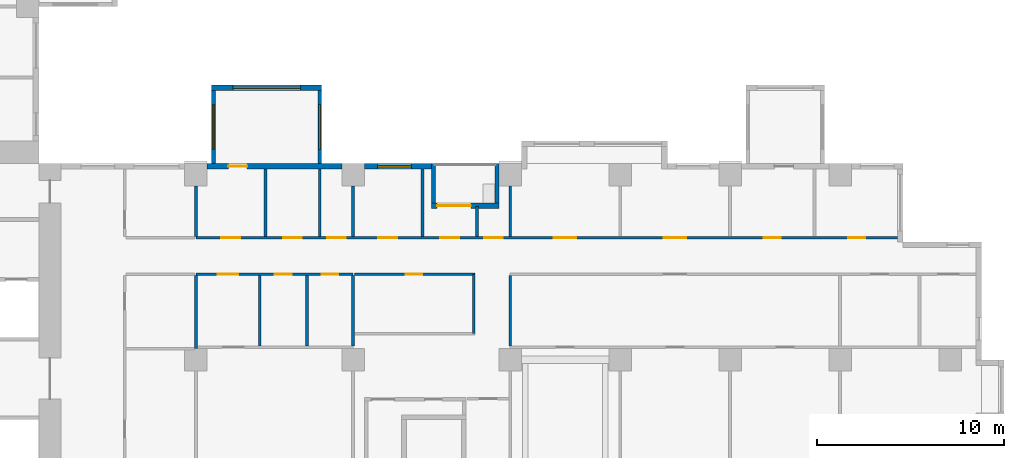
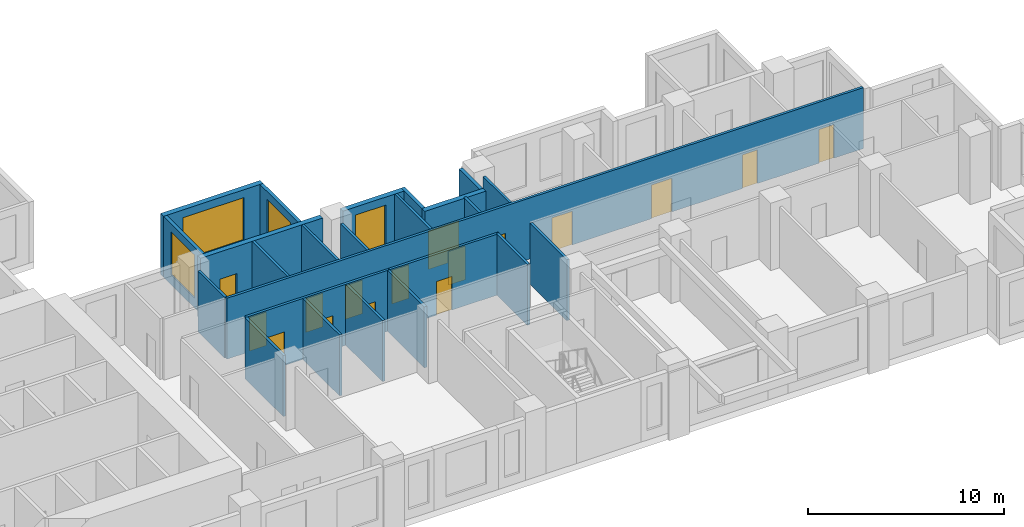
# One storey, part 5 of 14: 24 walls, 16 doors, 4 windows, 20 openings.
"""IFC4 building model written with IfcOpenShell, lengths in metres."""

from ifc_helpers import new_model, si_unit, direction, frame, frame_2d, origin, place, context, subcontext, project, spatial, rectangle, extrude, source, transform, mapped, material, layer, layer_set, type_object, element, fill, save


model = new_model("IFC4")

# Units and contexts
model_context = context("Model", 3, precision=1e-05, world=origin(), true_north=direction((0.0, 1.0)))
body_context = subcontext(model_context, "Body", "Model", "MODEL_VIEW")
ifc_project = project(units=[si_unit("LENGTHUNIT", "METRE"), si_unit("AREAUNIT", "SQUARE_METRE"), si_unit("VOLUMEUNIT", "CUBIC_METRE"), si_unit("PLANEANGLEUNIT", "RADIAN"), si_unit("MASSUNIT", "GRAM", prefix="KILO")], contexts=[model_context])

# Site, building, storey
site_placement = place(None, origin())
site = spatial("IfcSite", under=ifc_project, at=site_placement, CompositionType="ELEMENT")
building_placement = place(site_placement, origin())
building = spatial("IfcBuilding", under=site, at=building_placement, Name="Aurelian Terraces", CompositionType="ELEMENT")
storey_placement = place(building_placement, frame((0.0, 0.0, 90.9)))
storey = spatial("IfcBuildingStorey", under=building, at=storey_placement, Name="L19", CompositionType="ELEMENT", Elevation=90.9)

# Wall
ifc_material_1 = material(Name="Gypsum board on steel studs", Category="steel")
ifc_layer_1 = layer(ifc_material_1, 0.15)
ifc_layer_set_1 = layer_set([ifc_layer_1], Name="Partition 150")
wall_type_1 = type_object("IfcWallType", Name="Partition 150", PredefinedType="PARTITIONING", material=ifc_layer_set_1)
wall_1_placement = place(storey_placement, frame((44.424, 18.695, 0.0), z_axis=(0.0, 0.0, 1.0), x_axis=(0.0, -1.0, 0.0)))
element("IfcWall", 1, at=wall_1_placement, inside=storey, type_object=wall_type_1, Name="Partition", PredefinedType="PARTITIONING", context=body_context, shape_type="SweptSolid", body=[
    extrude(rectangle(XDim=1.595, YDim=0.15, at=frame_2d((0.7975, 0.0))), origin(), (0.0, 0.0, 1.0), 3.8),
])

# Wall, opening, door
ifc_material_2 = material(Name="Terracotta rainscreen cladding", Category="masonry")
ifc_layer_2 = layer(ifc_material_2, 0.3)
ifc_layer_set_2 = layer_set([ifc_layer_2], Name="EW-300")
wall_type_2 = type_object("IfcWallType", Name="EW-300", PredefinedType="STANDARD", material=ifc_layer_set_2)
shared_shape_1 = source(origin(), body_context, "Body", "SweptSolid", [
    extrude(rectangle(XDim=7.2, YDim=0.3, at=frame_2d((3.6, 0.0))), origin(), (0.0, 0.0, 1.0), 3.8),
])
wall_2_placement = place(storey_placement, frame((37.2, 20.85, 0.0), z_axis=(0.0, 0.0, 1.0), x_axis=(-1.0, 0.0, 0.0)))
wall_2 = element("IfcWall", 2, at=wall_2_placement, inside=storey, type_object=wall_type_2, Name="External wall L19 F07.23", PredefinedType="STANDARD", context=body_context, shape_type="MappedRepresentation", body=[
    mapped(shared_shape_1, transform((0.0, 0.0, 0.0), scale=1.0)),
])
shared_shape_2 = source(origin(), body_context, "Body", "SweptSolid", [
    extrude(rectangle(XDim=1.0, YDim=2.1, at=frame_2d((0.5, 1.05))), frame((0.0, 0.16, 0.0), z_axis=(0.0, -1.0, 0.0), x_axis=(1.0, 0.0, 0.0)), (0.0, 0.0, 1.0), 0.32),
])
opening_1_placement = place(wall_2_placement, frame((5.06, 0.0, 0.0)))
opening_1 = element("IfcOpeningElement", 3, at=opening_1_placement, cuts=wall_2, Name="Opening 819003", PredefinedType="OPENING", context=body_context, shape_type="MappedRepresentation", body=[
    mapped(shared_shape_2, transform((0.0, 0.0, 0.0), scale=1.0)),
])
ifc_material_3 = material(Name="Timber door leaf", Category="wood")
door_type_1 = type_object("IfcDoorType", Name="Room door 1000x2100 left", OperationType="SINGLE_SWING_LEFT", PredefinedType="DOOR", material=ifc_material_3)
shared_shape_3 = source(origin(), body_context, "Body", "SweptSolid", [
    extrude(rectangle(XDim=1.0, YDim=2.1, at=frame_2d((0.5, 1.05))), frame((0.0, 0.025, 0.0), z_axis=(0.0, -1.0, 0.0), x_axis=(1.0, 0.0, 0.0)), (0.0, 0.0, 1.0), 0.05),
])
door_1_placement = place(opening_1_placement, origin())
door_1 = element("IfcDoor", 4, at=door_1_placement, inside=storey, type_object=door_type_1, Name="Door 819003", OperationType="SINGLE_SWING_LEFT", OverallHeight=2.1, OverallWidth=1.0, PredefinedType="DOOR", context=body_context, shape_type="MappedRepresentation", body=[
    mapped(shared_shape_3, transform((0.0, 0.0, 0.0), scale=1.0)),
])
fill(opening_1, door_1)

shared_shape_4 = source(origin(), body_context, "Body", "SweptSolid", [
    extrude(rectangle(XDim=3.6, YDim=0.3, at=frame_2d((1.8, 0.0))), origin(), (0.0, 0.0, 1.0), 3.8),
])
wall_3_placement = place(storey_placement, frame((45.6, 18.75, 0.0), z_axis=(0.0, 0.0, 1.0), x_axis=(-1.0, 0.0, 0.0)))
wall_3 = element("IfcWall", 5, at=wall_3_placement, inside=storey, type_object=wall_type_2, Name="Loggia wall L19 F07.22", PredefinedType="STANDARD", context=body_context, shape_type="MappedRepresentation", body=[
    mapped(shared_shape_4, transform((0.0, 0.0, 0.0), scale=1.0)),
])
shared_shape_5 = source(origin(), body_context, "Body", "SweptSolid", [
    extrude(rectangle(XDim=1.8, YDim=2.4, at=frame_2d((0.9, 1.2))), frame((0.0, 0.16, 0.0), z_axis=(0.0, -1.0, 0.0), x_axis=(1.0, 0.0, 0.0)), (0.0, 0.0, 1.0), 0.32),
])
opening_2_placement = place(wall_3_placement, frame((1.5, 0.0, 0.0)))
opening_2 = element("IfcOpeningElement", 6, at=opening_2_placement, cuts=wall_3, Name="Opening 81902", PredefinedType="OPENING", context=body_context, shape_type="MappedRepresentation", body=[
    mapped(shared_shape_5, transform((0.0, 0.0, 0.0), scale=1.0)),
])
ifc_material_4 = material(Name="Clear glazing", Category="glass")
door_type_2 = type_object("IfcDoorType", Name="BD-1800x2400", OperationType="SLIDING_TO_LEFT", PredefinedType="DOOR", material=ifc_material_4)
shared_shape_6 = source(origin(), body_context, "Body", "SweptSolid", [
    extrude(rectangle(XDim=1.8, YDim=2.4, at=frame_2d((0.9, 1.2))), frame((0.0, 0.025, 0.0), z_axis=(0.0, -1.0, 0.0), x_axis=(1.0, 0.0, 0.0)), (0.0, 0.0, 1.0), 0.05),
])
door_2_placement = place(opening_2_placement, origin())
door_2 = element("IfcDoor", 7, at=door_2_placement, inside=storey, type_object=door_type_2, Name="Balcony door L19 F07.22", OperationType="SLIDING_TO_LEFT", OverallHeight=2.4, OverallWidth=1.8, PredefinedType="DOOR", context=body_context, shape_type="MappedRepresentation", body=[
    mapped(shared_shape_6, transform((0.0, 0.0, 0.0), scale=1.0)),
])
fill(opening_2, door_2)

# Wall, opening, window
wall_4_placement = place(storey_placement, frame((42.0, 20.85, 0.0), z_axis=(0.0, 0.0, 1.0), x_axis=(-1.0, 0.0, 0.0)))
wall_4 = element("IfcWall", 8, at=wall_4_placement, inside=storey, type_object=wall_type_2, Name="External wall L19 F07.23", PredefinedType="STANDARD", context=body_context, shape_type="MappedRepresentation", body=[
    mapped(shared_shape_4, transform((0.0, 0.0, 0.0), scale=1.0)),
])
shared_shape_7 = source(origin(), body_context, "Body", "SweptSolid", [
    extrude(rectangle(XDim=1.8, YDim=2.7, at=frame_2d((0.9, 1.35))), frame((0.0, 0.16, 0.0), z_axis=(0.0, -1.0, 0.0), x_axis=(1.0, 0.0, 0.0)), (0.0, 0.0, 1.0), 0.32),
])
opening_3_placement = place(wall_4_placement, frame((1.081, 0.0, 0.6)))
opening_3 = element("IfcOpeningElement", 9, at=opening_3_placement, cuts=wall_4, Name="Opening W1827", PredefinedType="OPENING", context=body_context, shape_type="MappedRepresentation", body=[
    mapped(shared_shape_7, transform((0.0, 0.0, 0.0), scale=1.0)),
])
window_type_1 = type_object("IfcWindowType", Name="W-1800x2700", PartitioningType="SINGLE_PANEL", PredefinedType="WINDOW", material=ifc_material_4)
shared_shape_8 = source(origin(), body_context, "Body", "SweptSolid", [
    extrude(rectangle(XDim=1.8, YDim=2.7, at=frame_2d((0.9, 1.35))), frame((0.0, 0.03, 0.0), z_axis=(0.0, -1.0, 0.0), x_axis=(1.0, 0.0, 0.0)), (0.0, 0.0, 1.0), 0.06),
])
window_1_placement = place(opening_3_placement, origin())
window_1 = element("IfcWindow", 10, at=window_1_placement, inside=storey, type_object=window_type_1, Name="Window L19 L19-F07-23-P0", OverallHeight=2.7, OverallWidth=1.8, PartitioningType="SINGLE_PANEL", PredefinedType="WINDOW", context=body_context, shape_type="MappedRepresentation", body=[
    mapped(shared_shape_8, transform((0.0, 0.0, 0.0), scale=1.0)),
])
fill(opening_3, window_1)

# Walls
ifc_layer_3 = layer(ifc_material_2, 0.2)
ifc_layer_set_3 = layer_set([ifc_layer_3], Name="EW-200")
wall_type_3 = type_object("IfcWallType", Name="EW-200", PredefinedType="STANDARD", material=ifc_layer_set_3)
shared_shape_9 = source(origin(), body_context, "Body", "SweptSolid", [
    extrude(rectangle(XDim=2.1, YDim=0.2, at=frame_2d((1.05, 0.0))), origin(), (0.0, 0.0, 1.0), 3.8),
])
for number, where, z_axis, x_axis, name in (
    (11, (45.5, 21.0, 0.0), (0.0, 0.0, 1.0), (0.0, -1.0, 0.0), "Loggia return L19 F07.22.1"),
    (12, (42.1, 21.0, 0.0), (0.0, 0.0, 1.0), (0.0, -1.0, 0.0), "Loggia return L19 F07.22.2"),
):
    element("IfcWall", number, at=place(storey_placement, frame(where, z_axis=z_axis, x_axis=x_axis)), inside=storey, type_object=wall_type_3, Name=name, PredefinedType="STANDARD", context=body_context, shape_type="MappedRepresentation", body=[
        mapped(shared_shape_9, transform((0.0, 0.0, 0.0), scale=1.0)),
    ])

# Wall, opening, window
ifc_material_5 = material(Name="Concrete fc' 40 MPa", Category="concrete")
ifc_layer_4 = layer(ifc_material_5, 0.2)
ifc_layer_set_4 = layer_set([ifc_layer_4], Name="BOX BEARING WALL 200")
wall_type_4 = type_object("IfcWallType", Name="BOX BEARING WALL 200", PredefinedType="SOLIDWALL", material=ifc_layer_set_4)
shared_shape_10 = source(origin(), body_context, "Body", "SweptSolid", [
    extrude(rectangle(XDim=3.9, YDim=0.2, at=frame_2d((1.95, 0.0))), origin(), (0.0, 0.0, 1.0), 3.79),
])
wall_5_placement = place(storey_placement, frame((36.02, 21.0, 0.0), z_axis=(0.0, 0.0, 1.0), x_axis=(0.0, 1.0, 0.0)))
wall_5 = element("IfcWall", 13, at=wall_5_placement, inside=storey, type_object=wall_type_4, Name="Box return L19 J25.1", PredefinedType="SOLIDWALL", context=body_context, shape_type="MappedRepresentation", body=[
    mapped(shared_shape_10, transform((0.0, 0.0, 0.0), scale=1.0)),
])
shared_shape_11 = source(origin(), body_context, "Body", "SweptSolid", [
    extrude(rectangle(XDim=2.4, YDim=2.7, at=frame_2d((1.2, 1.35))), frame((0.0, 0.11, 0.0), z_axis=(0.0, -1.0, 0.0), x_axis=(1.0, 0.0, 0.0)), (0.0, 0.0, 1.0), 0.22),
])
opening_4_placement = place(wall_5_placement, frame((0.75, 0.0, 0.6)))
opening_4 = element("IfcOpeningElement", 14, at=opening_4_placement, cuts=wall_5, Name="Opening W2427", PredefinedType="OPENING", context=body_context, shape_type="MappedRepresentation", body=[
    mapped(shared_shape_11, transform((0.0, 0.0, 0.0), scale=1.0)),
])
window_type_2 = type_object("IfcWindowType", Name="W-2400x2700", PartitioningType="SINGLE_PANEL", PredefinedType="WINDOW", material=ifc_material_4)
shared_shape_12 = source(origin(), body_context, "Body", "SweptSolid", [
    extrude(rectangle(XDim=2.4, YDim=2.7, at=frame_2d((1.2, 1.35))), frame((0.0, 0.03, 0.0), z_axis=(0.0, -1.0, 0.0), x_axis=(1.0, 0.0, 0.0)), (0.0, 0.0, 1.0), 0.06),
])
window_2_placement = place(opening_4_placement, origin())
window_2 = element("IfcWindow", 15, at=window_2_placement, inside=storey, type_object=window_type_2, Name="Window L19 J25-S1", OverallHeight=2.7, OverallWidth=2.4, PartitioningType="SINGLE_PANEL", PredefinedType="WINDOW", context=body_context, shape_type="MappedRepresentation", body=[
    mapped(shared_shape_12, transform((0.0, 0.0, 0.0), scale=1.0)),
])
fill(opening_4, window_2)

wall_6_placement = place(storey_placement, frame((30.34, 21.0, 0.0), z_axis=(0.0, 0.0, 1.0), x_axis=(0.0, 1.0, 0.0)))
wall_6 = element("IfcWall", 16, at=wall_6_placement, inside=storey, type_object=wall_type_4, Name="Box return L19 J25.2", PredefinedType="SOLIDWALL", context=body_context, shape_type="MappedRepresentation", body=[
    mapped(shared_shape_10, transform((0.0, 0.0, 0.0), scale=1.0)),
])
opening_5_placement = place(wall_6_placement, frame((0.75, 0.0, 0.6)))
opening_5 = element("IfcOpeningElement", 17, at=opening_5_placement, cuts=wall_6, Name="Opening W2427", PredefinedType="OPENING", context=body_context, shape_type="MappedRepresentation", body=[
    mapped(shared_shape_11, transform((0.0, 0.0, 0.0), scale=1.0)),
])
window_3_placement = place(opening_5_placement, origin())
window_3 = element("IfcWindow", 18, at=window_3_placement, inside=storey, type_object=window_type_2, Name="Window L19 J25-S2", OverallHeight=2.7, OverallWidth=2.4, PartitioningType="SINGLE_PANEL", PredefinedType="WINDOW", context=body_context, shape_type="MappedRepresentation", body=[
    mapped(shared_shape_12, transform((0.0, 0.0, 0.0), scale=1.0)),
])
fill(opening_5, window_3)

ifc_layer_5 = layer(ifc_material_5, 0.3)
ifc_layer_set_5 = layer_set([ifc_layer_5], Name="BOX BEARING WALL 300")
wall_type_5 = type_object("IfcWallType", Name="BOX BEARING WALL 300", PredefinedType="SOLIDWALL", material=ifc_layer_set_5)
shared_shape_13 = source(origin(), body_context, "Body", "SweptSolid", [
    extrude(rectangle(XDim=5.88, YDim=0.3, at=frame_2d((2.94, 0.0))), origin(), (0.0, 0.0, 1.0), 3.79),
])
wall_7_placement = place(storey_placement, frame((36.12, 25.05, 0.0), z_axis=(0.0, 0.0, 1.0), x_axis=(-1.0, 0.0, 0.0)))
wall_7 = element("IfcWall", 19, at=wall_7_placement, inside=storey, type_object=wall_type_5, Name="Box wall L19 J25", PredefinedType="SOLIDWALL", context=body_context, shape_type="MappedRepresentation", body=[
    mapped(shared_shape_13, transform((0.0, 0.0, 0.0), scale=1.0)),
])
shared_shape_14 = source(origin(), body_context, "Body", "SweptSolid", [
    extrude(rectangle(XDim=3.6, YDim=2.7, at=frame_2d((1.8, 1.35))), frame((0.0, 0.16, 0.0), z_axis=(0.0, -1.0, 0.0), x_axis=(1.0, 0.0, 0.0)), (0.0, 0.0, 1.0), 0.32),
])
opening_6_placement = place(wall_7_placement, frame((1.14, 0.0, 0.6)))
opening_6 = element("IfcOpeningElement", 20, at=opening_6_placement, cuts=wall_7, Name="Opening W3627", PredefinedType="OPENING", context=body_context, shape_type="MappedRepresentation", body=[
    mapped(shared_shape_14, transform((0.0, 0.0, 0.0), scale=1.0)),
])
window_type_3 = type_object("IfcWindowType", Name="W-3600x2700", PartitioningType="SINGLE_PANEL", PredefinedType="WINDOW", material=ifc_material_4)
shared_shape_15 = source(origin(), body_context, "Body", "SweptSolid", [
    extrude(rectangle(XDim=3.6, YDim=2.7, at=frame_2d((1.8, 1.35))), frame((0.0, 0.03, 0.0), z_axis=(0.0, -1.0, 0.0), x_axis=(1.0, 0.0, 0.0)), (0.0, 0.0, 1.0), 0.06),
])
window_4_placement = place(opening_6_placement, origin())
window_4 = element("IfcWindow", 21, at=window_4_placement, inside=storey, type_object=window_type_3, Name="Window L19 J25-F1", OverallHeight=2.7, OverallWidth=3.6, PartitioningType="SINGLE_PANEL", PredefinedType="WINDOW", context=body_context, shape_type="MappedRepresentation", body=[
    mapped(shared_shape_15, transform((0.0, 0.0, 0.0), scale=1.0)),
])
fill(opening_6, window_4)

# Wall, opening, door
ifc_layer_6 = layer(ifc_material_1, 0.15)
ifc_layer_set_6 = layer_set([ifc_layer_6], Name="Fire partition 150")
wall_type_6 = type_object("IfcWallType", Name="Fire partition 150", PredefinedType="PARTITIONING", material=ifc_layer_set_6)
shared_shape_16 = source(origin(), body_context, "Body", "SweptSolid", [
    extrude(rectangle(XDim=6.45, YDim=0.15, at=frame_2d((3.225, 0.0))), origin(), (0.0, 0.0, 1.0), 3.8),
])
wall_8_placement = place(storey_placement, frame((44.325, 15.075, 0.0), z_axis=(0.0, 0.0, 1.0), x_axis=(-1.0, 0.0, 0.0)))
wall_8 = element("IfcWall", 22, at=wall_8_placement, inside=storey, type_object=wall_type_6, Name="Corridor wall", PredefinedType="PARTITIONING", context=body_context, shape_type="MappedRepresentation", body=[
    mapped(shared_shape_16, transform((0.0, 0.0, 0.0), scale=1.0)),
])
shared_shape_17 = source(origin(), body_context, "Body", "SweptSolid", [
    extrude(rectangle(XDim=0.9, YDim=2.1, at=frame_2d((0.45, 1.05))), frame((0.0, 0.085, 0.0), z_axis=(0.0, -1.0, 0.0), x_axis=(1.0, 0.0, 0.0)), (0.0, 0.0, 1.0), 0.17),
])
opening_7_placement = place(wall_8_placement, frame((2.8125, 0.0, 0.0)))
opening_7 = element("IfcOpeningElement", 23, at=opening_7_placement, cuts=wall_8, Name="Opening 719005", PredefinedType="OPENING", context=body_context, shape_type="MappedRepresentation", body=[
    mapped(shared_shape_17, transform((0.0, 0.0, 0.0), scale=1.0)),
])
door_type_3 = type_object("IfcDoorType", Name="Room door 900x2100 right", OperationType="SINGLE_SWING_RIGHT", PredefinedType="DOOR", material=ifc_material_3)
shared_shape_18 = source(origin(), body_context, "Body", "SweptSolid", [
    extrude(rectangle(XDim=0.9, YDim=2.1, at=frame_2d((0.45, 1.05))), frame((0.0, 0.025, 0.0), z_axis=(0.0, -1.0, 0.0), x_axis=(1.0, 0.0, 0.0)), (0.0, 0.0, 1.0), 0.05),
])
door_3_placement = place(opening_7_placement, origin())
door_3 = element("IfcDoor", 24, at=door_3_placement, inside=storey, type_object=door_type_3, Name="Door 719005", OperationType="SINGLE_SWING_RIGHT", OverallHeight=2.1, OverallWidth=0.9, PredefinedType="DOOR", context=body_context, shape_type="MappedRepresentation", body=[
    mapped(shared_shape_18, transform((0.0, 0.0, 0.0), scale=1.0)),
])
fill(opening_7, door_3)

# Walls
shared_shape_19 = source(origin(), body_context, "Body", "SweptSolid", [
    extrude(rectangle(XDim=3.75, YDim=0.15, at=frame_2d((1.875, 0.0))), origin(), (0.0, 0.0, 1.0), 3.8),
])
for number, where, z_axis, x_axis, name in (
    (25, (32.8088, 11.25, 0.0), (0.0, 0.0, 1.0), (0.0, 1.0, 0.0), "Partition"),
    (26, (35.3388, 11.25, 0.0), (0.0, 0.0, 1.0), (0.0, 1.0, 0.0), "Partition"),
    (27, (37.8, 11.25, 0.0), (0.0, 0.0, 1.0), (0.0, 1.0, 0.0), "Partition"),
    (28, (46.2, 11.25, 0.0), (0.0, 0.0, 1.0), (0.0, 1.0, 0.0), "Partition"),
):
    element("IfcWall", number, at=place(storey_placement, frame(where, z_axis=z_axis, x_axis=x_axis)), inside=storey, type_object=wall_type_1, Name=name, PredefinedType="PARTITIONING", context=body_context, shape_type="MappedRepresentation", body=[
        mapped(shared_shape_19, transform((0.0, 0.0, 0.0), scale=1.0)),
    ])
shared_shape_20 = source(origin(), body_context, "Body", "SweptSolid", [
    extrude(rectangle(XDim=3.6, YDim=0.15, at=frame_2d((1.8, 0.0))), origin(), (0.0, 0.0, 1.0), 3.8),
])
for number, where, z_axis, x_axis, name in (
    (29, (33.1133, 20.7, 0.0), (0.0, 0.0, 1.0), (0.0, -1.0, 0.0), "Partition"),
    (30, (36.024, 20.7, 0.0), (0.0, 0.0, 1.0), (0.0, -1.0, 0.0), "Partition"),
    (31, (41.5133, 20.7, 0.0), (0.0, 0.0, 1.0), (0.0, -1.0, 0.0), "Partition"),
):
    element("IfcWall", number, at=place(storey_placement, frame(where, z_axis=z_axis, x_axis=x_axis)), inside=storey, type_object=wall_type_1, Name=name, PredefinedType="PARTITIONING", context=body_context, shape_type="MappedRepresentation", body=[
        mapped(shared_shape_20, transform((0.0, 0.0, 0.0), scale=1.0)),
    ])
shared_shape_21 = source(origin(), body_context, "Body", "SweptSolid", [
    extrude(rectangle(XDim=2.701, YDim=0.15, at=frame_2d((1.3505, 0.0))), origin(), (0.0, 0.0, 1.0), 3.8),
])
for number, where, z_axis, x_axis, name in (
    (32, (29.4, 17.1, 0.0), (0.0, 0.0, 1.0), (0.0, 1.0, 0.0), "Partition"),
    (33, (37.8, 17.1, 0.0), (0.0, 0.0, 1.0), (0.0, 1.0, 0.0), "Partition"),
    (34, (46.2, 17.1, 0.0), (0.0, 0.0, 1.0), (0.0, 1.0, 0.0), "Partition"),
):
    element("IfcWall", number, at=place(storey_placement, frame(where, z_axis=z_axis, x_axis=x_axis)), inside=storey, type_object=wall_type_1, Name=name, PredefinedType="PARTITIONING", context=body_context, shape_type="MappedRepresentation", body=[
        mapped(shared_shape_21, transform((0.0, 0.0, 0.0), scale=1.0)),
    ])

# Wall, openings, doors
shared_shape_22 = source(origin(), body_context, "Body", "SweptSolid", [
    extrude(rectangle(XDim=8.4, YDim=0.15, at=frame_2d((4.2, 0.0))), origin(), (0.0, 0.0, 1.0), 3.8),
])
wall_9_placement = place(storey_placement, frame((37.8, 15.075, 0.0), z_axis=(0.0, 0.0, 1.0), x_axis=(-1.0, 0.0, 0.0)))
wall_9 = element("IfcWall", 35, at=wall_9_placement, inside=storey, type_object=wall_type_6, Name="Corridor wall", PredefinedType="PARTITIONING", context=body_context, shape_type="MappedRepresentation", body=[
    mapped(shared_shape_22, transform((0.0, 0.0, 0.0), scale=1.0)),
])
shared_shape_23 = source(origin(), body_context, "Body", "SweptSolid", [
    extrude(rectangle(XDim=1.1, YDim=2.1, at=frame_2d((0.55, 1.05))), frame((0.0, 0.085, 0.0), z_axis=(0.0, -1.0, 0.0), x_axis=(1.0, 0.0, 0.0)), (0.0, 0.0, 1.0), 0.17),
])
opening_8_placement = place(wall_9_placement, frame((6.1456, 0.0, 0.0)))
opening_8 = element("IfcOpeningElement", 36, at=opening_8_placement, cuts=wall_9, Name="Opening 719007", PredefinedType="OPENING", context=body_context, shape_type="MappedRepresentation", body=[
    mapped(shared_shape_23, transform((0.0, 0.0, 0.0), scale=1.0)),
])
opening_9_placement = place(wall_9_placement, frame((3.2762, 0.0, 0.0)))
opening_9 = element("IfcOpeningElement", 37, at=opening_9_placement, cuts=wall_9, Name="Opening 719009", PredefinedType="OPENING", context=body_context, shape_type="MappedRepresentation", body=[
    mapped(shared_shape_17, transform((0.0, 0.0, 0.0), scale=1.0)),
])
opening_10_placement = place(wall_9_placement, frame((0.7806, 0.0, 0.0)))
opening_10 = element("IfcOpeningElement", 38, at=opening_10_placement, cuts=wall_9, Name="Opening 719010", PredefinedType="OPENING", context=body_context, shape_type="MappedRepresentation", body=[
    mapped(shared_shape_17, transform((0.0, 0.0, 0.0), scale=1.0)),
])
door_type_4 = type_object("IfcDoorType", Name="Room door 900x2100 left", OperationType="SINGLE_SWING_LEFT", PredefinedType="DOOR", material=ifc_material_3)
door_4_placement = place(opening_9_placement, origin())
door_4 = element("IfcDoor", 39, at=door_4_placement, inside=storey, type_object=door_type_4, Name="Door 719009", OperationType="SINGLE_SWING_LEFT", OverallHeight=2.1, OverallWidth=0.9, PredefinedType="DOOR", context=body_context, shape_type="MappedRepresentation", body=[
    mapped(shared_shape_18, transform((0.0, 0.0, 0.0), scale=1.0)),
])
fill(opening_9, door_4)
door_5_placement = place(opening_10_placement, origin())
door_5 = element("IfcDoor", 40, at=door_5_placement, inside=storey, type_object=door_type_3, Name="Door 719010", OperationType="SINGLE_SWING_RIGHT", OverallHeight=2.1, OverallWidth=0.9, PredefinedType="DOOR", context=body_context, shape_type="MappedRepresentation", body=[
    mapped(shared_shape_18, transform((0.0, 0.0, 0.0), scale=1.0)),
])
fill(opening_10, door_5)
door_type_5 = type_object("IfcDoorType", Name="Room door 1100x2100 left", OperationType="SINGLE_SWING_LEFT", PredefinedType="DOOR", material=ifc_material_3)
shared_shape_24 = source(origin(), body_context, "Body", "SweptSolid", [
    extrude(rectangle(XDim=1.1, YDim=2.1, at=frame_2d((0.55, 1.05))), frame((0.0, 0.025, 0.0), z_axis=(0.0, -1.0, 0.0), x_axis=(1.0, 0.0, 0.0)), (0.0, 0.0, 1.0), 0.05),
])
door_6_placement = place(opening_8_placement, origin())
door_6 = element("IfcDoor", 41, at=door_6_placement, inside=storey, type_object=door_type_5, Name="Door 719007", OperationType="SINGLE_SWING_LEFT", OverallHeight=2.1, OverallWidth=1.1, PredefinedType="DOOR", context=body_context, shape_type="MappedRepresentation", body=[
    mapped(shared_shape_24, transform((0.0, 0.0, 0.0), scale=1.0)),
])
fill(opening_8, door_6)

# Wall
shared_shape_25 = source(origin(), body_context, "Body", "SweptSolid", [
    extrude(rectangle(XDim=3.901, YDim=0.15, at=frame_2d((1.9505, 0.0))), origin(), (0.0, 0.0, 1.0), 3.8),
])
wall_10_placement = place(storey_placement, frame((29.4, 11.099, 0.0), z_axis=(0.0, 0.0, 1.0), x_axis=(0.0, 1.0, 0.0)))
element("IfcWall", 42, at=wall_10_placement, inside=storey, type_object=wall_type_1, Name="Partition", PredefinedType="PARTITIONING", context=body_context, shape_type="MappedRepresentation", body=[
    mapped(shared_shape_25, transform((0.0, 0.0, 0.0), scale=1.0)),
])

# Wall, openings, doors
shared_shape_26 = source(origin(), body_context, "Body", "SweptSolid", [
    extrude(rectangle(XDim=37.5, YDim=0.15, at=frame_2d((18.75, 0.0))), origin(), (0.0, 0.0, 1.0), 3.8),
])
wall_11_placement = place(storey_placement, frame((29.4, 17.025, 0.0), z_axis=(0.0, 0.0, 1.0), x_axis=(1.0, 0.0, 0.0)))
wall_11 = element("IfcWall", 43, at=wall_11_placement, inside=storey, type_object=wall_type_6, Name="Corridor wall", PredefinedType="PARTITIONING", context=body_context, shape_type="MappedRepresentation", body=[
    mapped(shared_shape_26, transform((0.0, 0.0, 0.0), scale=1.0)),
])
shared_shape_27 = source(origin(), body_context, "Body", "SweptSolid", [
    extrude(rectangle(XDim=1.0, YDim=2.1, at=frame_2d((0.5, 1.05))), frame((0.0, 0.085, 0.0), z_axis=(0.0, -1.0, 0.0), x_axis=(1.0, 0.0, 0.0)), (0.0, 0.0, 1.0), 0.17),
])
opening_11_placement = place(wall_11_placement, frame((1.3567, 0.0, 0.0)))
opening_11 = element("IfcOpeningElement", 44, at=opening_11_placement, cuts=wall_11, Name="Opening 719017", PredefinedType="OPENING", context=body_context, shape_type="MappedRepresentation", body=[
    mapped(shared_shape_27, transform((0.0, 0.0, 0.0), scale=1.0)),
])
opening_12_placement = place(wall_11_placement, frame((4.6686, 0.0, 0.0)))
opening_12 = element("IfcOpeningElement", 45, at=opening_12_placement, cuts=wall_11, Name="Opening 719018", PredefinedType="OPENING", context=body_context, shape_type="MappedRepresentation", body=[
    mapped(shared_shape_27, transform((0.0, 0.0, 0.0), scale=1.0)),
])
opening_13_placement = place(wall_11_placement, frame((7.012, 0.0, 0.0)))
opening_13 = element("IfcOpeningElement", 46, at=opening_13_placement, cuts=wall_11, Name="Opening 719019", PredefinedType="OPENING", context=body_context, shape_type="MappedRepresentation", body=[
    mapped(shared_shape_27, transform((0.0, 0.0, 0.0), scale=1.0)),
])
opening_14_placement = place(wall_11_placement, frame((9.7567, 0.0, 0.0)))
opening_14 = element("IfcOpeningElement", 47, at=opening_14_placement, cuts=wall_11, Name="Opening 719020", PredefinedType="OPENING", context=body_context, shape_type="MappedRepresentation", body=[
    mapped(shared_shape_27, transform((0.0, 0.0, 0.0), scale=1.0)),
])
opening_15_placement = place(wall_11_placement, frame((13.0686, 0.0, 0.0)))
opening_15 = element("IfcOpeningElement", 48, at=opening_15_placement, cuts=wall_11, Name="Opening 719021", PredefinedType="OPENING", context=body_context, shape_type="MappedRepresentation", body=[
    mapped(shared_shape_27, transform((0.0, 0.0, 0.0), scale=1.0)),
])
opening_16_placement = place(wall_11_placement, frame((15.412, 0.0, 0.0)))
opening_16 = element("IfcOpeningElement", 49, at=opening_16_placement, cuts=wall_11, Name="Opening 719022", PredefinedType="OPENING", context=body_context, shape_type="MappedRepresentation", body=[
    mapped(shared_shape_27, transform((0.0, 0.0, 0.0), scale=1.0)),
])
shared_shape_28 = source(origin(), body_context, "Body", "SweptSolid", [
    extrude(rectangle(XDim=1.2, YDim=2.1, at=frame_2d((0.6, 1.05))), frame((0.0, 0.085, 0.0), z_axis=(0.0, -1.0, 0.0), x_axis=(1.0, 0.0, 0.0)), (0.0, 0.0, 1.0), 0.17),
])
opening_17_placement = place(wall_11_placement, frame((19.14, 0.0, 0.0)))
opening_17 = element("IfcOpeningElement", 50, at=opening_17_placement, cuts=wall_11, Name="Opening 719023", PredefinedType="OPENING", context=body_context, shape_type="MappedRepresentation", body=[
    mapped(shared_shape_28, transform((0.0, 0.0, 0.0), scale=1.0)),
])
opening_18_placement = place(wall_11_placement, frame((25.02, 0.0, 0.0)))
opening_18 = element("IfcOpeningElement", 51, at=opening_18_placement, cuts=wall_11, Name="Opening 719024", PredefinedType="OPENING", context=body_context, shape_type="MappedRepresentation", body=[
    mapped(shared_shape_28, transform((0.0, 0.0, 0.0), scale=1.0)),
])
opening_19_placement = place(wall_11_placement, frame((30.3638, 0.0, 0.0)))
opening_19 = element("IfcOpeningElement", 52, at=opening_19_placement, cuts=wall_11, Name="Opening 719025", PredefinedType="OPENING", context=body_context, shape_type="MappedRepresentation", body=[
    mapped(shared_shape_17, transform((0.0, 0.0, 0.0), scale=1.0)),
])
opening_20_placement = place(wall_11_placement, frame((34.8713, 0.0, 0.0)))
opening_20 = element("IfcOpeningElement", 53, at=opening_20_placement, cuts=wall_11, Name="Opening 719026", PredefinedType="OPENING", context=body_context, shape_type="MappedRepresentation", body=[
    mapped(shared_shape_17, transform((0.0, 0.0, 0.0), scale=1.0)),
])
door_7_placement = place(opening_11_placement, origin())
door_7 = element("IfcDoor", 54, at=door_7_placement, inside=storey, type_object=door_type_1, Name="Door 719017", OperationType="SINGLE_SWING_LEFT", OverallHeight=2.1, OverallWidth=1.0, PredefinedType="DOOR", context=body_context, shape_type="MappedRepresentation", body=[
    mapped(shared_shape_3, transform((0.0, 0.0, 0.0), scale=1.0)),
])
fill(opening_11, door_7)
door_type_6 = type_object("IfcDoorType", Name="Room door 1000x2100 right", OperationType="SINGLE_SWING_RIGHT", PredefinedType="DOOR", material=ifc_material_3)
door_8_placement = place(opening_12_placement, origin())
door_8 = element("IfcDoor", 55, at=door_8_placement, inside=storey, type_object=door_type_6, Name="Door 719018", OperationType="SINGLE_SWING_RIGHT", OverallHeight=2.1, OverallWidth=1.0, PredefinedType="DOOR", context=body_context, shape_type="MappedRepresentation", body=[
    mapped(shared_shape_3, transform((0.0, 0.0, 0.0), scale=1.0)),
])
fill(opening_12, door_8)
door_9_placement = place(opening_13_placement, origin())
door_9 = element("IfcDoor", 56, at=door_9_placement, inside=storey, type_object=door_type_1, Name="Door 719019", OperationType="SINGLE_SWING_LEFT", OverallHeight=2.1, OverallWidth=1.0, PredefinedType="DOOR", context=body_context, shape_type="MappedRepresentation", body=[
    mapped(shared_shape_3, transform((0.0, 0.0, 0.0), scale=1.0)),
])
fill(opening_13, door_9)
door_10_placement = place(opening_14_placement, origin())
door_10 = element("IfcDoor", 57, at=door_10_placement, inside=storey, type_object=door_type_1, Name="Door 719020", OperationType="SINGLE_SWING_LEFT", OverallHeight=2.1, OverallWidth=1.0, PredefinedType="DOOR", context=body_context, shape_type="MappedRepresentation", body=[
    mapped(shared_shape_3, transform((0.0, 0.0, 0.0), scale=1.0)),
])
fill(opening_14, door_10)
door_11_placement = place(opening_15_placement, origin())
door_11 = element("IfcDoor", 58, at=door_11_placement, inside=storey, type_object=door_type_6, Name="Door 719021", OperationType="SINGLE_SWING_RIGHT", OverallHeight=2.1, OverallWidth=1.0, PredefinedType="DOOR", context=body_context, shape_type="MappedRepresentation", body=[
    mapped(shared_shape_3, transform((0.0, 0.0, 0.0), scale=1.0)),
])
fill(opening_15, door_11)
door_12_placement = place(opening_16_placement, origin())
door_12 = element("IfcDoor", 59, at=door_12_placement, inside=storey, type_object=door_type_1, Name="Door 719022", OperationType="SINGLE_SWING_LEFT", OverallHeight=2.1, OverallWidth=1.0, PredefinedType="DOOR", context=body_context, shape_type="MappedRepresentation", body=[
    mapped(shared_shape_3, transform((0.0, 0.0, 0.0), scale=1.0)),
])
fill(opening_16, door_12)
door_13_placement = place(opening_19_placement, origin())
door_13 = element("IfcDoor", 60, at=door_13_placement, inside=storey, type_object=door_type_4, Name="Door 719025", OperationType="SINGLE_SWING_LEFT", OverallHeight=2.1, OverallWidth=0.9, PredefinedType="DOOR", context=body_context, shape_type="MappedRepresentation", body=[
    mapped(shared_shape_18, transform((0.0, 0.0, 0.0), scale=1.0)),
])
fill(opening_19, door_13)
door_14_placement = place(opening_20_placement, origin())
door_14 = element("IfcDoor", 61, at=door_14_placement, inside=storey, type_object=door_type_3, Name="Door 719026", OperationType="SINGLE_SWING_RIGHT", OverallHeight=2.1, OverallWidth=0.9, PredefinedType="DOOR", context=body_context, shape_type="MappedRepresentation", body=[
    mapped(shared_shape_18, transform((0.0, 0.0, 0.0), scale=1.0)),
])
fill(opening_20, door_14)
door_type_7 = type_object("IfcDoorType", Name="Room door 1200x2100 left", OperationType="SINGLE_SWING_LEFT", PredefinedType="DOOR", material=ifc_material_3)
shared_shape_29 = source(origin(), body_context, "Body", "SweptSolid", [
    extrude(rectangle(XDim=1.2, YDim=2.1, at=frame_2d((0.6, 1.05))), frame((0.0, 0.025, 0.0), z_axis=(0.0, -1.0, 0.0), x_axis=(1.0, 0.0, 0.0)), (0.0, 0.0, 1.0), 0.05),
])
door_15_placement = place(opening_17_placement, origin())
door_15 = element("IfcDoor", 62, at=door_15_placement, inside=storey, type_object=door_type_7, Name="Door 719023", OperationType="SINGLE_SWING_LEFT", OverallHeight=2.1, OverallWidth=1.2, PredefinedType="DOOR", context=body_context, shape_type="MappedRepresentation", body=[
    mapped(shared_shape_29, transform((0.0, 0.0, 0.0), scale=1.0)),
])
fill(opening_17, door_15)
door_type_8 = type_object("IfcDoorType", Name="Room door 1200x2100 right", OperationType="SINGLE_SWING_RIGHT", PredefinedType="DOOR", material=ifc_material_3)
door_16_placement = place(opening_18_placement, origin())
door_16 = element("IfcDoor", 63, at=door_16_placement, inside=storey, type_object=door_type_8, Name="Door 719024", OperationType="SINGLE_SWING_RIGHT", OverallHeight=2.1, OverallWidth=1.2, PredefinedType="DOOR", context=body_context, shape_type="MappedRepresentation", body=[
    mapped(shared_shape_29, transform((0.0, 0.0, 0.0), scale=1.0)),
])
fill(opening_18, door_16)

# Wall
shared_shape_30 = source(origin(), body_context, "Body", "SweptSolid", [
    extrude(rectangle(XDim=3.175, YDim=0.15, at=frame_2d((1.5875, 0.0))), origin(), (0.0, 0.0, 1.0), 3.8),
])
wall_12_placement = place(storey_placement, frame((44.25, 11.9, 0.0), z_axis=(0.0, 0.0, 1.0), x_axis=(0.0, 1.0, 0.0)))
element("IfcWall", 64, at=wall_12_placement, inside=storey, type_object=wall_type_1, Name="Partition", PredefinedType="PARTITIONING", context=body_context, shape_type="MappedRepresentation", body=[
    mapped(shared_shape_30, transform((0.0, 0.0, 0.0), scale=1.0)),
])

save(model, "model.ifc")
